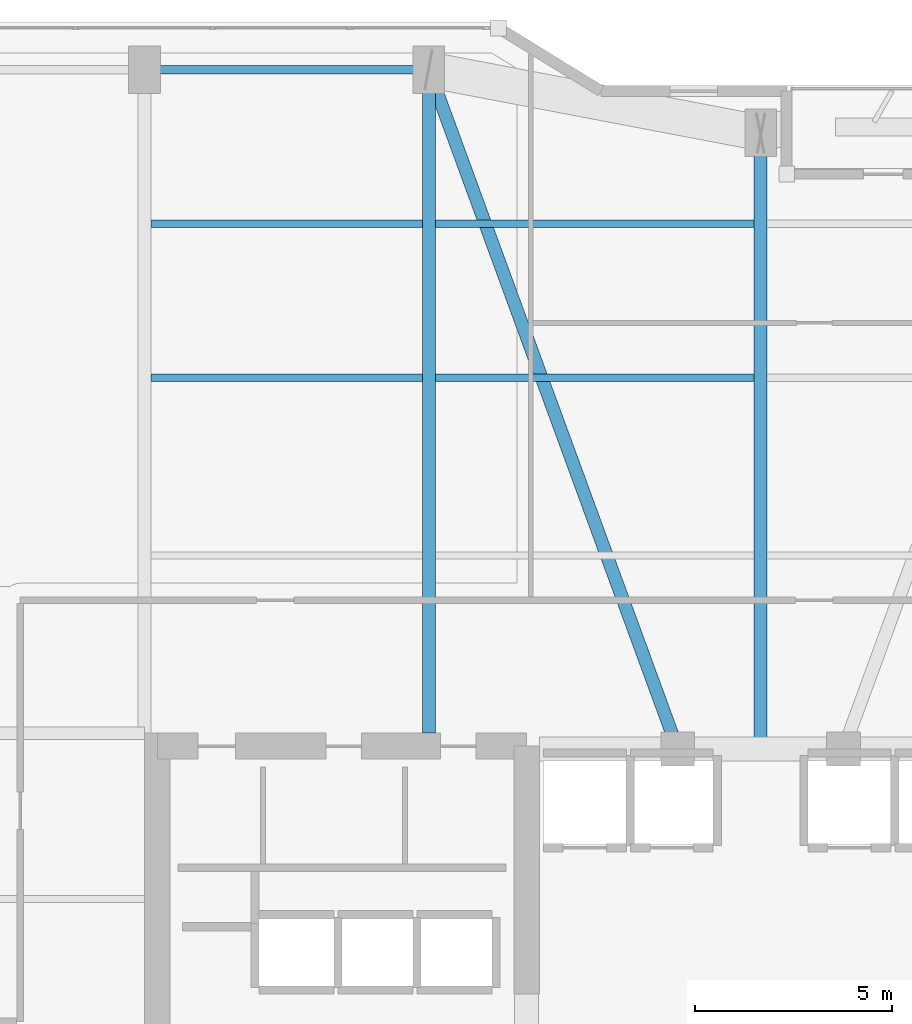
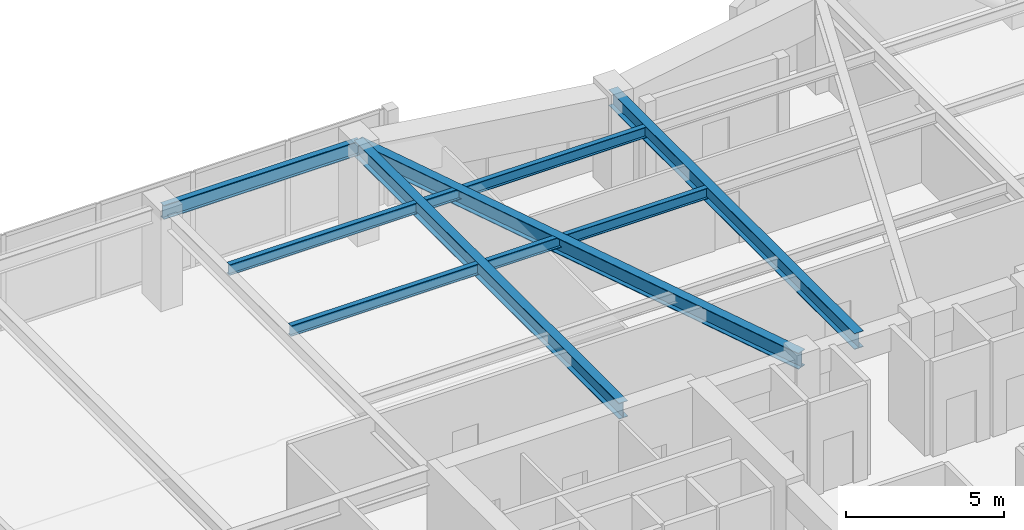
# One storey, part 18 of 30: 8 beams.
"""IFC4 building model written with IfcOpenShell, lengths in metres."""

from ifc_helpers import new_model, si_unit, direction, frame, origin, origin_2d, place, context, subcontext, project, spatial, i_section, extrude, material, material_profile, profile_set, type_object, element, save


model = new_model("IFC4")

# Units and contexts
model_context = context("Model", 3, precision=1e-05, world=origin(), true_north=direction((0.0, 1.0)))
body_context = subcontext(model_context, "Body", "Model", "MODEL_VIEW")
ifc_project = project(units=[si_unit("LENGTHUNIT", "METRE"), si_unit("AREAUNIT", "SQUARE_METRE"), si_unit("VOLUMEUNIT", "CUBIC_METRE"), si_unit("PLANEANGLEUNIT", "RADIAN"), si_unit("MASSUNIT", "GRAM", prefix="KILO")], contexts=[model_context])

# Site, building, storey
site_placement = place(None, origin())
site = spatial("IfcSite", under=ifc_project, at=site_placement, CompositionType="ELEMENT")
building_placement = place(site_placement, origin())
building = spatial("IfcBuilding", under=site, at=building_placement, Name="Kiyonajd Concourse Tower", CompositionType="ELEMENT")
storey_placement = place(building_placement, frame((0.0, 0.0, 190.199951171875)))
storey = spatial("IfcBuildingStorey", under=building, at=storey_placement, Name="L48", CompositionType="ELEMENT", Elevation=190.199951171875)

# Beams
ifc_material = material(Name="Steel ASTM A992 Grade 50", Category="steel")
ifc_material_profile_1 = material_profile(ifc_material, i_section(OverallWidth=0.180908203125, OverallDepth=0.4169921875, WebThickness=0.010986328125, FlangeThickness=0.018310546875, at=origin_2d()), Name="W410X85")
ifc_profile_set_1 = profile_set([ifc_material_profile_1], Name="Steel ASTM A992 Grade 50")
beam_type_1 = type_object("IfcBeamType", Name="BM-JST-410", PredefinedType="JOIST", material=ifc_profile_set_1)
beam_1_placement = place(storey_placement, frame((32.5634765625, 53.39990234375, 3.471435546875), z_axis=(1.0, 0.0, 0.0), x_axis=(0.0, 1.0, 0.0)))
element("IfcBeam", 1, at=beam_1_placement, inside=storey, type_object=beam_type_1, Name="L48 Secondary Floor Joist", PredefinedType="JOIST", context=body_context, shape_type="SweptSolid", body=[
    extrude(i_section(OverallWidth=0.180908203125, OverallDepth=0.4169921875, WebThickness=0.010986328125, FlangeThickness=0.018310546875, at=origin_2d()), origin(), (0.0, 0.0, 1.0), 6.873046875),
])
beam_2_placement = place(storey_placement, frame((39.763427734375, 53.39990234375, 3.471435546875), z_axis=(1.0, 0.0, 0.0), x_axis=(0.0, 1.0, 0.0)))
element("IfcBeam", 2, at=beam_2_placement, inside=storey, type_object=beam_type_1, Name="L48 Secondary Floor Joist", PredefinedType="JOIST", context=body_context, shape_type="SweptSolid", body=[
    extrude(i_section(OverallWidth=0.180908203125, OverallDepth=0.4169921875, WebThickness=0.010986328125, FlangeThickness=0.018310546875, at=origin_2d()), origin(), (0.0, 0.0, 1.0), 8.072998046875),
])
beam_3_placement = place(storey_placement, frame((32.5634765625, 57.300048828125, 3.471435546875), z_axis=(1.0, 0.0, 0.0), x_axis=(0.0, 1.0, 0.0)))
element("IfcBeam", 3, at=beam_3_placement, inside=storey, type_object=beam_type_1, Name="L48 Secondary Floor Joist", PredefinedType="JOIST", context=body_context, shape_type="SweptSolid", body=[
    extrude(i_section(OverallWidth=0.180908203125, OverallDepth=0.4169921875, WebThickness=0.010986328125, FlangeThickness=0.018310546875, at=origin_2d()), origin(), (0.0, 0.0, 1.0), 6.873046875),
])
beam_4_placement = place(storey_placement, frame((39.763427734375, 57.300048828125, 3.471435546875), z_axis=(1.0, 0.0, 0.0), x_axis=(0.0, 1.0, 0.0)))
element("IfcBeam", 4, at=beam_4_placement, inside=storey, type_object=beam_type_1, Name="L48 Secondary Floor Joist", PredefinedType="JOIST", context=body_context, shape_type="SweptSolid", body=[
    extrude(i_section(OverallWidth=0.180908203125, OverallDepth=0.4169921875, WebThickness=0.010986328125, FlangeThickness=0.018310546875, at=origin_2d()), origin(), (0.0, 0.0, 1.0), 8.072998046875),
])
ifc_material_profile_2 = material_profile(ifc_material, i_section(OverallWidth=0.214111328125, OverallDepth=0.549072265625, WebThickness=0.0146484375, FlangeThickness=0.023681640625, at=origin_2d()), Name="W530X138")
ifc_profile_set_2 = profile_set([ifc_material_profile_2], Name="Steel ASTM A992 Grade 50")
beam_type_2 = type_object("IfcBeamType", Name="BM-SPAN-530A", PredefinedType="SPANDREL", material=ifc_profile_set_2)
beam_5_placement = place(storey_placement, frame((39.60009765625, 61.199951171875, 3.405517578125), z_axis=(-1.0, 0.0, 0.0), x_axis=(0.0, -1.0, 0.0)))
element("IfcBeam", 5, at=beam_5_placement, inside=storey, type_object=beam_type_2, Name="L48 Perimeter Bundled Tube Spandrel", PredefinedType="SPANDREL", context=body_context, shape_type="SweptSolid", body=[
    extrude(i_section(OverallWidth=0.214111328125, OverallDepth=0.549072265625, WebThickness=0.0146484375, FlangeThickness=0.023681640625, at=origin_2d()), origin(), (0.0, 0.0, 1.0), 7.2001953125),
])
ifc_material_profile_3 = material_profile(ifc_material, i_section(OverallWidth=0.326904296875, OverallDepth=0.6220703125, WebThickness=0.015380859375, FlangeThickness=0.0244140625, at=origin_2d()), Name="W610X195")
ifc_profile_set_3 = profile_set([ifc_material_profile_3], Name="Steel ASTM A992 Grade 50")
beam_type_3 = type_object("IfcBeamType", Name="BM-TWR-610A", PredefinedType="BEAM", material=ifc_profile_set_3)
beam_6_placement = place(storey_placement, frame((39.60009765625, 61.199951171875, 3.369140625), z_axis=(0.343925269715, -0.938997022813, 0.0), x_axis=(0.938997022813, 0.343925269715, 0.0)))
element("IfcBeam", 6, at=beam_6_placement, inside=storey, type_object=beam_type_3, Name="L48 Core Tie Girder", PredefinedType="BEAM", context=body_context, shape_type="SweptSolid", body=[
    extrude(i_section(OverallWidth=0.326904296875, OverallDepth=0.6220703125, WebThickness=0.015380859375, FlangeThickness=0.0244140625, at=origin_2d()), origin(), (0.0, 0.0, 1.0), 18.3173828125),
])
beam_7_placement = place(storey_placement, frame((39.60009765625, 44.39990234375, 3.369140625), z_axis=(0.0, 1.0, 0.0), x_axis=(-1.0, 0.0, 0.0)))
element("IfcBeam", 7, at=beam_7_placement, inside=storey, type_object=beam_type_3, Name="L48 North Lease Girder", PredefinedType="BEAM", context=body_context, shape_type="SweptSolid", body=[
    extrude(i_section(OverallWidth=0.326904296875, OverallDepth=0.6220703125, WebThickness=0.015380859375, FlangeThickness=0.0244140625, at=origin_2d()), origin(), (0.0, 0.0, 1.0), 16.800048828125),
])
beam_8_placement = place(storey_placement, frame((48.0, 44.0, 3.369140625), z_axis=(0.0, 1.0, 0.0), x_axis=(-1.0, 0.0, 0.0)))
element("IfcBeam", 8, at=beam_8_placement, inside=storey, type_object=beam_type_3, Name="L48 North Ribbon Girder", PredefinedType="BEAM", context=body_context, shape_type="SweptSolid", body=[
    extrude(i_section(OverallWidth=0.326904296875, OverallDepth=0.6220703125, WebThickness=0.015380859375, FlangeThickness=0.0244140625, at=origin_2d()), origin(), (0.0, 0.0, 1.0), 15.60009765625),
])

save(model, "model.ifc")
